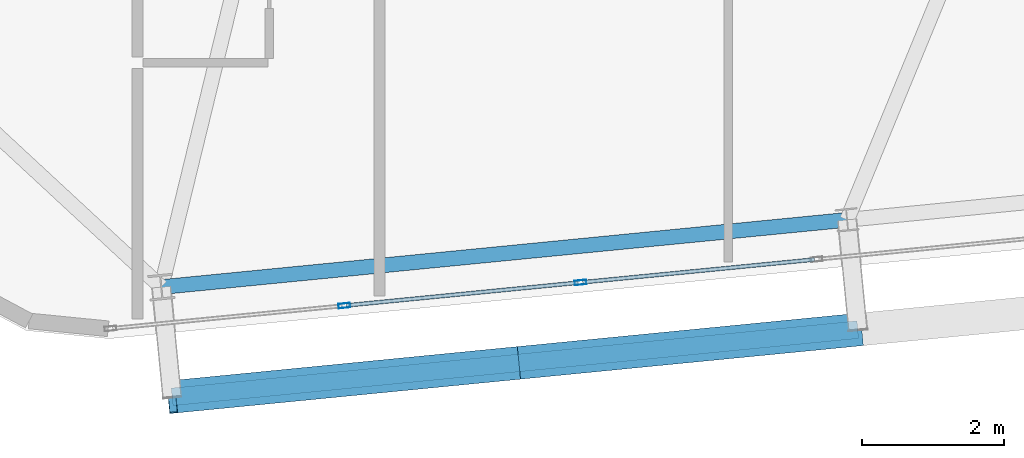
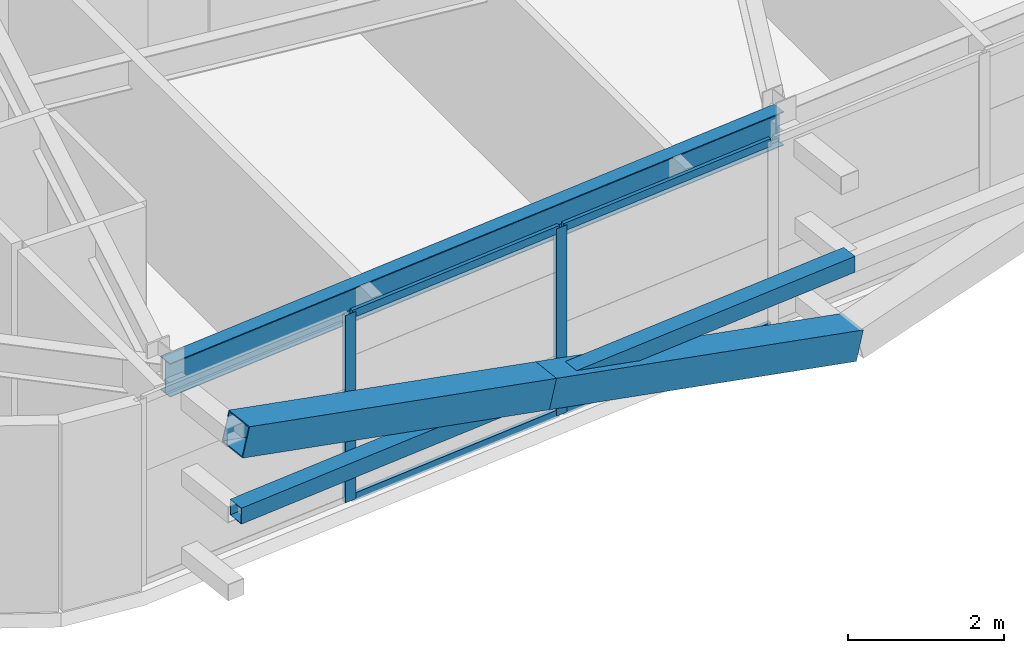
# One storey, part 6 of 53: 9 members, 1 beam, 1 element without a shape of its own.
"""IFC4 building model written with IfcOpenShell, lengths in metres."""

from ifc_helpers import new_model, si_unit, direction, frame, origin, origin_2d, place, context, subcontext, project, spatial, hollow_rectangle, i_section, extrude, source, transform, mapped, material, layer, layer_set, material_profile, profile_set, type_object, element, aggregate, save


model = new_model("IFC4")

# Units and contexts
model_context = context("Model", 3, precision=1e-05, world=origin(), true_north=direction((0.0, 1.0)))
body_context = subcontext(model_context, "Body", "Model", "MODEL_VIEW")
ifc_project = project(units=[si_unit("LENGTHUNIT", "METRE"), si_unit("AREAUNIT", "SQUARE_METRE"), si_unit("VOLUMEUNIT", "CUBIC_METRE"), si_unit("PLANEANGLEUNIT", "RADIAN"), si_unit("MASSUNIT", "GRAM", prefix="KILO")], contexts=[model_context])

# Site, building, storey
site_placement = place(None, origin())
site = spatial("IfcSite", under=ifc_project, at=site_placement, CompositionType="ELEMENT")
building_placement = place(site_placement, origin())
building = spatial("IfcBuilding", under=site, at=building_placement, Name="Taldren Reach Tower", CompositionType="ELEMENT")
storey_placement = place(building_placement, frame((0.0, 0.0, 71.39990234375)))
storey = spatial("IfcBuildingStorey", under=building, at=storey_placement, Name="L21", CompositionType="ELEMENT", Elevation=71.39990234375)

# Beam
ifc_material_1 = material(Name="Steel Gr 350 (350PLUS)", Category="steel")
ifc_material_profile_1 = material_profile(ifc_material_1, i_section(OverallWidth=0.208984375, OverallDepth=0.528076171875, WebThickness=0.009521484375, FlangeThickness=0.01318359375, at=origin_2d()), Name="530UB82.0")
ifc_profile_set_1 = profile_set([ifc_material_profile_1], Name="Steel Gr 350 (350PLUS)")
beam_type = type_object("IfcBeamType", Name="SP-UB530B", PredefinedType="SPANDREL", material=ifc_profile_set_1)
shared_shape_1 = source(origin(), body_context, "Body", "SweptSolid", [
    extrude(i_section(OverallWidth=0.208984375, OverallDepth=0.528076171875, WebThickness=0.009521484375, FlangeThickness=0.01318359375, at=origin_2d()), origin(), (0.0, 0.0, 1.0), 9.679931640625),
])
beam_placement = place(storey_placement, frame((14.93408203125, -0.079833984375, 2.666015625), z_axis=(0.995227612658, 0.097580730699, 0.0), x_axis=(-0.097580730699, 0.995227612658, 0.0)))
element("IfcBeam", 1, at=beam_placement, inside=storey, type_object=beam_type, Name="Perimeter spandrel B2 S1-S2 L21", PredefinedType="SPANDREL", context=body_context, shape_type="MappedRepresentation", body=[
    mapped(shared_shape_1, transform((0.0, 0.0, 0.0), scale=1.0)),
])

# Members
ifc_material_2 = material(Name="Steel Gr 450 (C450L0)", Category="steel")
ifc_material_profile_2 = material_profile(ifc_material_2, hollow_rectangle(XDim=0.4599609375, YDim=0.4599609375, WallThickness=0.01611328125, at=origin_2d()), Name="460x460x16.0SHS")
ifc_profile_set_2 = profile_set([ifc_material_profile_2], Name="Steel Gr 450 (C450L0)")
member_type_1 = type_object("IfcMemberType", Name="MB-EXO457", PredefinedType="BRACE", material=ifc_profile_set_2)
shared_shape_2 = source(origin(), body_context, "Body", "SweptSolid", [
    extrude(hollow_rectangle(XDim=0.4599609375, YDim=0.4599609375, WallThickness=0.01611328125, at=origin_2d()), origin(), (0.0, 0.0, 1.0), 4.990234375),
])
for number, where, z_axis, x_axis, name in (
    (2, (24.71923828125, -0.677978515625, 0.22021484375), (-0.965287024526, -0.094620633828, 0.24344998652), (0.097555749586, -0.995230061706, 0.0), "Exoskeleton Diagrid Brace B2-S1 L21"),
    (3, (19.90234375, -1.150146484375, 1.43505859375), (-0.965271056716, -0.094667992638, 0.243494883389), (0.097605711627, -0.995225162995, 0.0), "Exoskeleton Diagrid Brace B2-S1 L21"),
):
    element("IfcMember", number, at=place(storey_placement, frame(where, z_axis=z_axis, x_axis=x_axis)), inside=storey, type_object=member_type_1, Name=name, PredefinedType="BRACE", context=body_context, shape_type="MappedRepresentation", body=[
        mapped(shared_shape_2, transform((0.0, 0.0, 0.0), scale=1.0)),
    ])
ifc_material_3 = material(Name="Steel Gr 350 (C350L0)", Category="steel")
ifc_material_profile_3 = material_profile(ifc_material_3, hollow_rectangle(XDim=0.25, YDim=0.25, WallThickness=0.010009765625, at=origin_2d()), Name="250x250x10.0SHS")
ifc_profile_set_3 = profile_set([ifc_material_profile_3], Name="Steel Gr 350 (C350L0)")
member_type_2 = type_object("IfcMemberType", Name="MB-POST250", PredefinedType="POST", material=ifc_profile_set_3)
shared_shape_3 = source(origin(), body_context, "Body", "SweptSolid", [
    extrude(hollow_rectangle(XDim=0.25, YDim=0.25, WallThickness=0.010009765625, at=origin_2d()), origin(), (0.0, 0.0, 1.0), 9.679931640625),
])
member_1_placement = place(storey_placement, frame((15.08544921875, -1.62255859375, 1.43505859375), z_axis=(0.995227612658, 0.097580730699, 0.0), x_axis=(-0.097580730699, 0.995227612658, 0.0)))
element("IfcMember", 4, at=member_1_placement, inside=storey, type_object=member_type_2, Name="Exoskeleton mid-height ring chord B2-S1 L21", PredefinedType="POST", context=body_context, shape_type="MappedRepresentation", body=[
    mapped(shared_shape_3, transform((0.0, 0.0, 0.0), scale=1.0)),
])

# Curtain wall, members
ifc_material_4 = material(Name="Aluminium and Low-E Glass Unitised System", Category="aluminium")
ifc_layer = layer(ifc_material_4, 0.159912109375)
ifc_layer_set = layer_set([ifc_layer], Name="Aluminium and Low-E Glass Unitised System")
curtain_wall_type = type_object("IfcCurtainWallType", Name="CW-SYS-3", PredefinedType="NOTDEFINED", material=ifc_layer_set)
curtain_wall_placement = place(storey_placement, origin())
curtain_wall = element("IfcCurtainWall", 5, at=curtain_wall_placement, inside=storey, type_object=curtain_wall_type, Name="Unitised curtain wall CW-L21-S", PredefinedType="NOTDEFINED")
ifc_material_5 = material(Name="Anodised Aluminium 6063-T6", Category="aluminium")
ifc_material_profile_4 = material_profile(ifc_material_5, hollow_rectangle(XDim=0.06494140625, YDim=0.1650390625, WallThickness=0.00390625, at=origin_2d()), Name="ALU-165x65x4RHS")
ifc_profile_set_4 = profile_set([ifc_material_profile_4], Name="Anodised Aluminium 6063-T6")
member_type_3 = type_object("IfcMemberType", Name="CW-MUL-165", PredefinedType="MULLION", material=ifc_profile_set_4)
shared_shape_4 = source(origin(), body_context, "Body", "SweptSolid", [
    extrude(hollow_rectangle(XDim=0.06494140625, YDim=0.1650390625, WallThickness=0.00390625, at=origin_2d()), origin(), (0.0, 0.0, 1.0), 2.93017578125),
])
member_2_placement = place(storey_placement, frame((17.505126953125, -0.34033203125, 0.0), z_axis=(0.0, 0.0, 1.0), x_axis=(-0.097582999046, 0.995227390247, 0.0)))
member_2 = element("IfcMember", 6, at=member_2_placement, type_object=member_type_3, Name="CW-3 mullion 2", PredefinedType="MULLION", context=body_context, shape_type="MappedRepresentation", body=[
    mapped(shared_shape_4, transform((0.0, 0.0, 0.0), scale=1.0)),
])
member_3_placement = place(storey_placement, frame((20.822509765625, -0.014892578125, 0.0), z_axis=(0.0, 0.0, 1.0), x_axis=(-0.097582999046, 0.995227390247, 0.0)))
member_3 = element("IfcMember", 7, at=member_3_placement, type_object=member_type_3, Name="CW-3 mullion 3", PredefinedType="MULLION", context=body_context, shape_type="MappedRepresentation", body=[
    mapped(shared_shape_4, transform((0.0, 0.0, 0.0), scale=1.0)),
])
ifc_material_profile_5 = material_profile(ifc_material_5, hollow_rectangle(XDim=0.054931640625, YDim=0.1201171875, WallThickness=0.0029296875, at=origin_2d()), Name="ALU-120x55x3RHS")
ifc_profile_set_5 = profile_set([ifc_material_profile_5], Name="Anodised Aluminium 6063-T6")
member_type_4 = type_object("IfcMemberType", Name="CW-TRN-135", PredefinedType="USERDEFINED", material=ifc_profile_set_5)
shared_shape_5 = source(origin(), body_context, "Body", "SweptSolid", [
    extrude(hollow_rectangle(XDim=0.054931640625, YDim=0.1201171875, WallThickness=0.0029296875, at=origin_2d()), origin(), (0.0, 0.0, 1.0), 3.268310546875),
])
member_4_placement = place(storey_placement, frame((17.53759765625, -0.337158203125, 0.027587890625), z_axis=(0.995222549564, 0.097632355496, 0.0), x_axis=(-0.097632355496, 0.995222549564, 0.0)))
member_4 = element("IfcMember", 8, at=member_4_placement, type_object=member_type_4, Name="CW-3 transom 2.1", ObjectType="TRANSOM", PredefinedType="USERDEFINED", context=body_context, shape_type="MappedRepresentation", body=[
    mapped(shared_shape_5, transform((0.0, 0.0, 0.0), scale=1.0)),
])
member_5_placement = place(storey_placement, frame((17.53759765625, -0.337158203125, 2.902587890625), z_axis=(0.995222549564, 0.097632355496, 0.0), x_axis=(-0.097632355496, 0.995222549564, 0.0)))
member_5 = element("IfcMember", 9, at=member_5_placement, type_object=member_type_4, Name="CW-3 transom 2.2", ObjectType="TRANSOM", PredefinedType="USERDEFINED", context=body_context, shape_type="MappedRepresentation", body=[
    mapped(shared_shape_5, transform((0.0, 0.0, 0.0), scale=1.0)),
])
member_6_placement = place(storey_placement, frame((20.85498046875, -0.01171875, 0.027587890625), z_axis=(0.99522980512, 0.097558367146, 0.0), x_axis=(-0.097558367146, 0.99522980512, 0.0)))
member_6 = element("IfcMember", 10, at=member_6_placement, type_object=member_type_4, Name="CW-3 transom 3.1", ObjectType="TRANSOM", PredefinedType="USERDEFINED", context=body_context, shape_type="MappedRepresentation", body=[
    mapped(shared_shape_5, transform((0.0, 0.0, 0.0), scale=1.0)),
])
member_7_placement = place(storey_placement, frame((20.85498046875, -0.01171875, 2.902587890625), z_axis=(0.99522980512, 0.097558367146, 0.0), x_axis=(-0.097558367146, 0.99522980512, 0.0)))
member_7 = element("IfcMember", 11, at=member_7_placement, type_object=member_type_4, Name="CW-3 transom 3.2", ObjectType="TRANSOM", PredefinedType="USERDEFINED", context=body_context, shape_type="MappedRepresentation", body=[
    mapped(shared_shape_5, transform((0.0, 0.0, 0.0), scale=1.0)),
])
aggregate(curtain_wall, [member_2, member_3, member_4, member_5, member_6, member_7])

save(model, "model.ifc")
